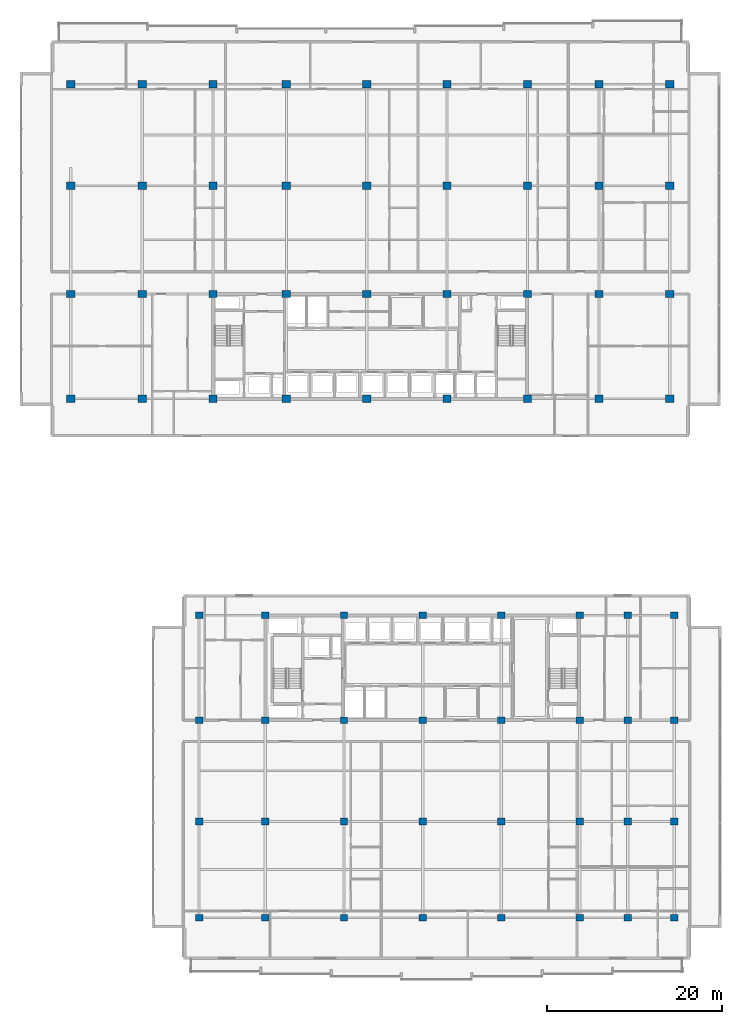
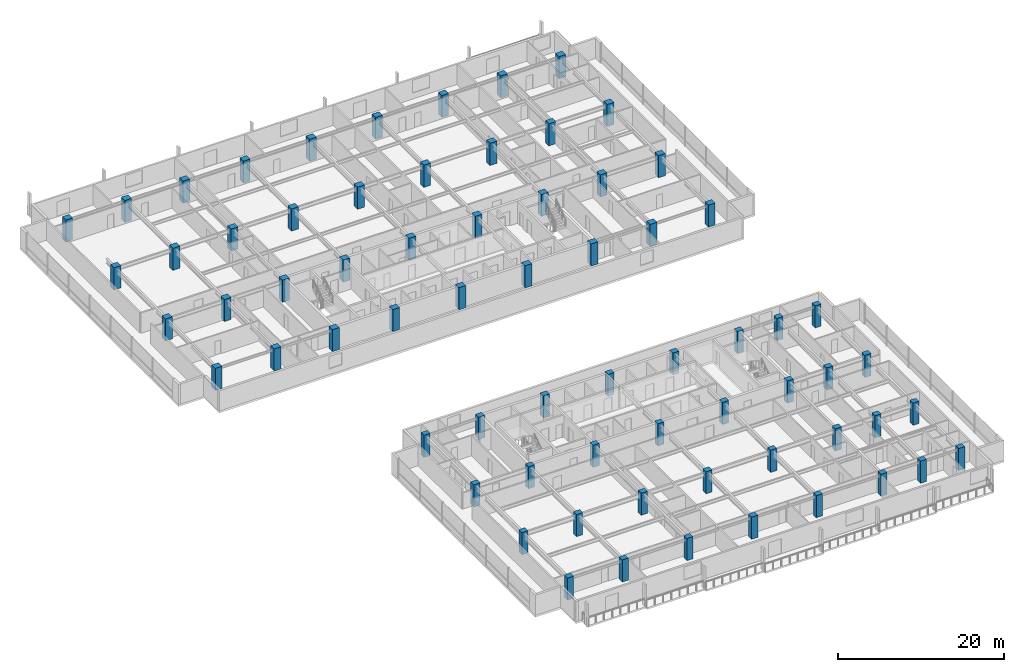
# One storey, part 1 of 38: 68 columns.
"""IFC4 building model written with IfcOpenShell, lengths in metres."""

import ifcopenshell
import ifcopenshell.guid

model = None  # the IFC model being written
_history = None  # IfcOwnerHistory: only IFC2X3 demands one
_inside = {}  # id of a spatial element -> (the spatial element, [elements in it])
_under = {}  # id of a project, library or spatial element -> (it, [spatial elements below it])
_declared = {}  # id of a project -> (the project, [libraries it declares])
_typed = {}  # id of a type object -> (the type object, [elements of that type])
_made_of = {}  # id of a material, layer set ... -> (it, [elements and type objects made of it])


def new_model(schema):
    """Start an empty IFC model of exactly this schema.

    Asked for "IFC4X3", IfcOpenShell would pick the latest addendum, in which some entities
    have other attributes; the version numbers below select the first issue.
    IFC2X3 requires an IfcOwnerHistory on every rooted entity: one is made here for all.
    """
    global model, _history
    if schema == "IFC4X3":
        model = ifcopenshell.file(schema_version=(4, 3, 0, 0))
    else:
        model = ifcopenshell.file(schema=schema)
    _inside.clear()
    _under.clear()
    _declared.clear()
    _typed.clear()
    _made_of.clear()
    _history = None
    if model.schema == "IFC2X3":
        org = make("IfcOrganization", Name="unknown")
        user = make(
            "IfcPersonAndOrganization",
            ThePerson=make("IfcPerson", FamilyName="unknown"),
            TheOrganization=org,
        )
        app = make(
            "IfcApplication",
            ApplicationDeveloper=org,
            Version="unknown",
            ApplicationFullName="unknown",
            ApplicationIdentifier="unknown",
        )
        _history = make(
            "IfcOwnerHistory",
            OwningUser=user,
            OwningApplication=app,
            ChangeAction="ADDED",
            CreationDate=0,
        )
    return model


def make(cls, **values):
    """One entity of the class cls with the attributes given. An attribute that is None is left unset."""
    return model.create_entity(
        cls, **{name: value for name, value in values.items() if value is not None}
    )


def rooted(cls, **values):
    """An entity with a GlobalId (a new one), such as an element, a storey or a relation."""
    return make(cls, GlobalId=ifcopenshell.guid.new(), OwnerHistory=_history, **values)


def si_unit(unit_type, name, prefix=None):
    """IfcSIUnit, for example si_unit("LENGTHUNIT", "METRE", prefix="MILLI")."""
    return make("IfcSIUnit", UnitType=unit_type, Prefix=prefix, Name=name)


def assignment(units):
    """IfcUnitAssignment: the units of a project."""
    return None if units is None else make("IfcUnitAssignment", Units=units)


def point(xyz):
    """IfcCartesianPoint."""
    return None if xyz is None else make("IfcCartesianPoint", Coordinates=xyz)


def direction(xyz):
    """IfcDirection."""
    return None if xyz is None else make("IfcDirection", DirectionRatios=xyz)


def frame(location, z_axis=None, x_axis=None):
    """IfcAxis2Placement3D, a coordinate frame: its origin and axes. An axis left out is left unset."""
    return make(
        "IfcAxis2Placement3D",
        Location=point(location),
        Axis=direction(z_axis),
        RefDirection=direction(x_axis),
    )


def frame_2d(location, x_axis=None):
    """IfcAxis2Placement2D, a coordinate frame in the plane: its origin and x axis."""
    return make(
        "IfcAxis2Placement2D", Location=point(location), RefDirection=direction(x_axis)
    )


def origin():
    """The frame at (0, 0, 0) with its axes left unset."""
    return frame((0.0, 0.0, 0.0))


def origin_2d():
    """The frame at (0, 0) in the plane with its x axis left unset."""
    return frame_2d((0.0, 0.0))


def place(relative_to, where):
    """IfcLocalPlacement: puts the frame where relative to a parent placement (None: the world)."""
    return make(
        "IfcLocalPlacement", PlacementRelTo=relative_to, RelativePlacement=where
    )


def context(
    kind, dimensions, precision=None, world=None, true_north=None, identifier=None
):
    """IfcGeometricRepresentationContext, for example the 3D "Model" context."""
    return make(
        "IfcGeometricRepresentationContext",
        ContextIdentifier=identifier,
        ContextType=kind,
        CoordinateSpaceDimension=dimensions,
        Precision=precision,
        WorldCoordinateSystem=world,
        TrueNorth=true_north,
    )


def subcontext(parent, identifier, kind, view, scale=None):
    """IfcGeometricRepresentationSubContext, for example "Body" below "Model"."""
    return make(
        "IfcGeometricRepresentationSubContext",
        ContextIdentifier=identifier,
        ContextType=kind,
        ParentContext=parent,
        TargetScale=scale,
        TargetView=view,
    )


def project(units=None, contexts=None):
    """IfcProject with its units and contexts."""
    return rooted(
        "IfcProject",
        Name="project",
        RepresentationContexts=contexts,
        UnitsInContext=assignment(units),
    )


def spatial(cls, under=None, at=None, **own):
    """A site, building, storey or space (cls), placed at a placement, below another one or the project."""
    s = rooted(cls, ObjectPlacement=at, **own)
    if under is not None:
        _under.setdefault(under.id(), (under, []))[1].append(s)
    return s


def profile(cls, at=None, kind="AREA", **sizes):
    """A parametric profile (cls). Its sizes go by their IFC names, for example OverallWidth=200.0."""
    return make(cls, ProfileType=kind, Position=at, **sizes)


def rectangle(**sizes):
    """IfcRectangleProfileDef."""
    return profile("IfcRectangleProfileDef", **sizes)


def extrude(swept, where, along, depth):
    """IfcExtrudedAreaSolid: the profile swept, set in the frame where, extruded along a direction by depth."""
    return make(
        "IfcExtrudedAreaSolid",
        SweptArea=swept,
        Position=where,
        ExtrudedDirection=direction(along),
        Depth=depth,
    )


def shape(context_of_items, identifier, shape_type, items):
    """IfcShapeRepresentation: the items that make up one representation, for example the "Body"."""
    return make(
        "IfcShapeRepresentation",
        ContextOfItems=context_of_items,
        RepresentationIdentifier=identifier,
        RepresentationType=shape_type,
        Items=items,
    )


def material(Name=None, Category=None):
    """IfcMaterial."""
    return make("IfcMaterial", Name=Name, Category=Category)


def material_profile(
    of_material, cross_section, Name=None, Category=None, Priority=None
):
    """IfcMaterialProfile: a cross section and its material."""
    return make(
        "IfcMaterialProfile",
        Name=Name,
        Material=of_material,
        Profile=cross_section,
        Priority=Priority,
        Category=Category,
    )


def profile_set(profiles, Name=None, composite=None):
    """IfcMaterialProfileSet."""
    return make(
        "IfcMaterialProfileSet",
        Name=Name,
        MaterialProfiles=profiles,
        CompositeProfile=composite,
    )


def made_of(thing, what):
    """Note that an element or type object is made of a material, layer set ...; save() writes the relation."""
    if what is not None:
        _made_of.setdefault(what.id(), (what, []))[1].append(thing)
    return thing


def type_object(cls, material=None, **own):
    """A type object (cls), such as IfcWallType, which elements share."""
    return made_of(rooted(cls, **own), material)


def element(
    cls,
    number,
    at=None,
    inside=None,
    cuts=None,
    type_object=None,
    material=None,
    context=None,
    identifier="Body",
    shape_type=None,
    held_by="IfcProductDefinitionShape",
    body=None,
    shapes=None,
    **own,
):
    """One element of the class cls, such as IfcWall. Its Tag is "e" and its number.

    at: its placement. inside: the storey or other place that contains it. cuts: it is an
    opening in that element (IfcRelVoidsElement). A single representation is given by context,
    identifier, shape_type and body (its items); several are given by shapes. held_by: the class
    of the entity that holds the representations. save() writes the other relations.
    """
    e = rooted(cls, Tag="e%d" % number, ObjectPlacement=at, **own)
    if body is not None:
        shapes = [shape(context, identifier, shape_type, body)]
    if shapes is not None:
        e.Representation = make(held_by, Representations=shapes)
    if inside is not None:
        _inside.setdefault(inside.id(), (inside, []))[1].append(e)
    if cuts is not None:
        rooted(
            "IfcRelVoidsElement", RelatingBuildingElement=cuts, RelatedOpeningElement=e
        )
    if type_object is not None:
        _typed.setdefault(type_object.id(), (type_object, []))[1].append(e)
    return made_of(e, material)


def aggregate(whole, parts):
    """IfcRelAggregates: a whole, such as a stair, and the parts it consists of."""
    return rooted("IfcRelAggregates", RelatingObject=whole, RelatedObjects=parts)


def save(model, path):
    """Write the relations noted so far, then the file.

    IfcRelAggregates (storeys below a building ...), IfcRelContainedInSpatialStructure (elements
    in a storey), IfcRelDefinesByType, IfcRelAssociatesMaterial and IfcRelDeclares: one each for
    every whole, place, type object, material and project.
    """
    for whole, parts in _under.values():
        aggregate(whole, parts)
    for where, things in _inside.values():
        rooted(
            "IfcRelContainedInSpatialStructure",
            RelatedElements=things,
            RelatingStructure=where,
        )
    for kind, things in _typed.values():
        rooted("IfcRelDefinesByType", RelatedObjects=things, RelatingType=kind)
    for what, things in _made_of.values():
        rooted("IfcRelAssociatesMaterial", RelatedObjects=things, RelatingMaterial=what)
    for by, libraries in _declared.values():
        rooted("IfcRelDeclares", RelatingContext=by, RelatedDefinitions=libraries)
    model.write(path)


model = new_model("IFC4")

# Units and contexts
model_context = context("Model", 3, precision=1e-05, world=origin(), true_north=direction((0.0, 1.0)))
body_context = subcontext(model_context, "Body", "Model", "MODEL_VIEW")
ifc_project = project(units=[si_unit("LENGTHUNIT", "METRE"), si_unit("AREAUNIT", "SQUARE_METRE"), si_unit("VOLUMEUNIT", "CUBIC_METRE"), si_unit("PLANEANGLEUNIT", "RADIAN"), si_unit("MASSUNIT", "GRAM", prefix="KILO")], contexts=[model_context])

# Site, building, storey
site_placement = place(None, origin())
site = spatial("IfcSite", under=ifc_project, at=site_placement, CompositionType="ELEMENT")
building_placement = place(site_placement, origin())
building = spatial("IfcBuilding", under=site, at=building_placement, Name="Korimba Cascade Residences", CompositionType="ELEMENT")
storey_placement = place(building_placement, frame((0.0, 0.0, 93.800048828125)))
storey = spatial("IfcBuildingStorey", under=building, at=storey_placement, Name="L26", CompositionType="ELEMENT", Elevation=93.800048828125)

# Columns
ifc_material = material(Name="Concrete C65/80", Category="concrete")
ifc_material_profile_1 = material_profile(ifc_material, rectangle(XDim=0.85009765625, YDim=0.75, at=origin_2d()), Name="Concrete C65/80")
ifc_profile_set_1 = profile_set([ifc_material_profile_1], Name="Concrete C65/80")
column_type_1 = type_object("IfcColumnType", Name="COL-RC-850", PredefinedType="COLUMN", material=ifc_profile_set_1)
for number, where, z_axis, x_axis, name in (
    (1, (74.5, -4.199951171875, 0.0), (0.0, 0.0, 1.0), (1.0, 0.0, 0.0), "L26 Tower 2 Column 1.1"),
    (2, (74.5, 6.800048828125, 0.0), (0.0, 0.0, 1.0), (1.0, 0.0, 0.0), "L26 Tower 2 Column 1.2"),
    (3, (74.5, 18.39990234375, 0.0), (0.0, 0.0, 1.0), (1.0, 0.0, 0.0), "L26 Tower 2 Column 1.3"),
    (4, (74.5, 30.39990234375, 0.0), (0.0, 0.0, 1.0), (1.0, 0.0, 0.0), "L26 Tower 2 Column 1.4"),
    (5, (82.10009765625, -4.199951171875, 0.0), (0.0, 0.0, 1.0), (1.0, 0.0, 0.0), "L26 Tower 2 Column 2.1"),
    (6, (82.10009765625, 6.800048828125, 0.0), (0.0, 0.0, 1.0), (1.0, 0.0, 0.0), "L26 Tower 2 Column 2.2"),
    (7, (82.10009765625, 18.39990234375, 0.0), (0.0, 0.0, 1.0), (1.0, 0.0, 0.0), "L26 Tower 2 Column 2.3"),
    (8, (82.10009765625, 30.39990234375, 0.0), (0.0, 0.0, 1.0), (1.0, 0.0, 0.0), "L26 Tower 2 Column 2.4"),
    (9, (91.10009765625, -4.199951171875, 0.0), (0.0, 0.0, 1.0), (1.0, 0.0, 0.0), "L26 Tower 2 Column 3.1"),
    (10, (91.10009765625, 6.800048828125, 0.0), (0.0, 0.0, 1.0), (1.0, 0.0, 0.0), "L26 Tower 2 Column 3.2"),
    (11, (91.10009765625, 18.39990234375, 0.0), (0.0, 0.0, 1.0), (1.0, 0.0, 0.0), "L26 Tower 2 Column 3.3"),
    (12, (91.10009765625, 30.39990234375, 0.0), (0.0, 0.0, 1.0), (1.0, 0.0, 0.0), "L26 Tower 2 Column 3.4"),
    (13, (100.10009765625, -4.199951171875, 0.0), (0.0, 0.0, 1.0), (1.0, 0.0, 0.0), "L26 Tower 2 Column 4.1"),
    (14, (100.10009765625, 6.800048828125, 0.0), (0.0, 0.0, 1.0), (1.0, 0.0, 0.0), "L26 Tower 2 Column 4.2"),
    (15, (100.10009765625, 18.39990234375, 0.0), (0.0, 0.0, 1.0), (1.0, 0.0, 0.0), "L26 Tower 2 Column 4.3"),
    (16, (100.10009765625, 30.39990234375, 0.0), (0.0, 0.0, 1.0), (1.0, 0.0, 0.0), "L26 Tower 2 Column 4.4"),
    (17, (109.10009765625, -4.199951171875, 0.0), (0.0, 0.0, 1.0), (1.0, 0.0, 0.0), "L26 Tower 2 Column 5.1"),
    (18, (109.10009765625, 6.800048828125, 0.0), (0.0, 0.0, 1.0), (1.0, 0.0, 0.0), "L26 Tower 2 Column 5.2"),
    (19, (109.10009765625, 18.39990234375, 0.0), (0.0, 0.0, 1.0), (1.0, 0.0, 0.0), "L26 Tower 2 Column 5.3"),
    (20, (109.10009765625, 30.39990234375, 0.0), (0.0, 0.0, 1.0), (1.0, 0.0, 0.0), "L26 Tower 2 Column 5.4"),
    (21, (118.10009765625, -4.199951171875, 0.0), (0.0, 0.0, 1.0), (1.0, 0.0, 0.0), "L26 Tower 2 Column 6.1"),
    (22, (118.10009765625, 6.800048828125, 0.0), (0.0, 0.0, 1.0), (1.0, 0.0, 0.0), "L26 Tower 2 Column 6.2"),
    (23, (118.10009765625, 18.39990234375, 0.0), (0.0, 0.0, 1.0), (1.0, 0.0, 0.0), "L26 Tower 2 Column 6.3"),
    (24, (118.10009765625, 30.39990234375, 0.0), (0.0, 0.0, 1.0), (1.0, 0.0, 0.0), "L26 Tower 2 Column 6.4"),
    (25, (123.60009765625, -4.199951171875, 0.0), (0.0, 0.0, 1.0), (1.0, 0.0, 0.0), "L26 Tower 2 Column 7.1"),
    (26, (123.60009765625, 6.800048828125, 0.0), (0.0, 0.0, 1.0), (1.0, 0.0, 0.0), "L26 Tower 2 Column 7.2"),
    (27, (123.60009765625, 18.39990234375, 0.0), (0.0, 0.0, 1.0), (1.0, 0.0, 0.0), "L26 Tower 2 Column 7.3"),
    (28, (123.60009765625, 30.39990234375, 0.0), (0.0, 0.0, 1.0), (1.0, 0.0, 0.0), "L26 Tower 2 Column 7.4"),
    (29, (128.89990234375, -4.199951171875, 0.0), (0.0, 0.0, 1.0), (1.0, 0.0, 0.0), "L26 Tower 2 Column 8.1"),
    (30, (128.89990234375, 6.800048828125, 0.0), (0.0, 0.0, 1.0), (1.0, 0.0, 0.0), "L26 Tower 2 Column 8.2"),
    (31, (128.89990234375, 18.39990234375, 0.0), (0.0, 0.0, 1.0), (1.0, 0.0, 0.0), "L26 Tower 2 Column 8.3"),
    (32, (128.89990234375, 30.39990234375, 0.0), (0.0, 0.0, 1.0), (1.0, 0.0, 0.0), "L26 Tower 2 Column 8.4"),
):
    element("IfcColumn", number, at=place(storey_placement, frame(where, z_axis=z_axis, x_axis=x_axis)), inside=storey, type_object=column_type_1, Name=name, PredefinedType="COLUMN", context=body_context, shape_type="SweptSolid", body=[
        extrude(rectangle(XDim=0.85009765625, YDim=0.75, at=origin_2d()), origin(), (0.0, 0.0, 1.0), 3.25),
    ])
ifc_material_profile_2 = material_profile(ifc_material, rectangle(XDim=0.949951171875, YDim=0.85009765625, at=origin_2d()), Name="Concrete C65/80")
ifc_profile_set_2 = profile_set([ifc_material_profile_2], Name="Concrete C65/80")
column_type_2 = type_object("IfcColumnType", Name="COL-RC-950", PredefinedType="COLUMN", material=ifc_profile_set_2)
for number, where, z_axis, x_axis, name in (
    (33, (59.800048828125, 55.199951171875, 0.0), (0.0, 0.0, 1.0), (1.0, 0.0, 0.0), "L26 Tower 1 Column 1.1"),
    (34, (59.800048828125, 67.199951171875, 0.0), (0.0, 0.0, 1.0), (1.0, 0.0, 0.0), "L26 Tower 1 Column 1.2"),
    (35, (59.800048828125, 79.60009765625, 0.0), (0.0, 0.0, 1.0), (1.0, 0.0, 0.0), "L26 Tower 1 Column 1.3"),
    (36, (59.800048828125, 91.199951171875, 0.0), (0.0, 0.0, 1.0), (1.0, 0.0, 0.0), "L26 Tower 1 Column 1.4"),
    (37, (68.0, 55.199951171875, 0.0), (0.0, 0.0, 1.0), (1.0, 0.0, 0.0), "L26 Tower 1 Column 2.1"),
    (38, (68.0, 67.199951171875, 0.0), (0.0, 0.0, 1.0), (1.0, 0.0, 0.0), "L26 Tower 1 Column 2.2"),
    (39, (68.0, 79.60009765625, 0.0), (0.0, 0.0, 1.0), (1.0, 0.0, 0.0), "L26 Tower 1 Column 2.3"),
    (40, (68.0, 91.199951171875, 0.0), (0.0, 0.0, 1.0), (1.0, 0.0, 0.0), "L26 Tower 1 Column 2.4"),
    (41, (76.10009765625, 55.199951171875, 0.0), (0.0, 0.0, 1.0), (1.0, 0.0, 0.0), "L26 Tower 1 Column 3.1"),
    (42, (76.10009765625, 67.199951171875, 0.0), (0.0, 0.0, 1.0), (1.0, 0.0, 0.0), "L26 Tower 1 Column 3.2"),
    (43, (76.10009765625, 79.60009765625, 0.0), (0.0, 0.0, 1.0), (1.0, 0.0, 0.0), "L26 Tower 1 Column 3.3"),
    (44, (76.10009765625, 91.199951171875, 0.0), (0.0, 0.0, 1.0), (1.0, 0.0, 0.0), "L26 Tower 1 Column 3.4"),
    (45, (84.5, 55.199951171875, 0.0), (0.0, 0.0, 1.0), (1.0, 0.0, 0.0), "L26 Tower 1 Column 4.1"),
    (46, (84.5, 67.199951171875, 0.0), (0.0, 0.0, 1.0), (1.0, 0.0, 0.0), "L26 Tower 1 Column 4.2"),
    (47, (84.5, 79.60009765625, 0.0), (0.0, 0.0, 1.0), (1.0, 0.0, 0.0), "L26 Tower 1 Column 4.3"),
    (48, (84.5, 91.199951171875, 0.0), (0.0, 0.0, 1.0), (1.0, 0.0, 0.0), "L26 Tower 1 Column 4.4"),
    (49, (93.699951171875, 55.199951171875, 0.0), (0.0, 0.0, 1.0), (1.0, 0.0, 0.0), "L26 Tower 1 Column 5.1"),
    (50, (93.699951171875, 67.199951171875, 0.0), (0.0, 0.0, 1.0), (1.0, 0.0, 0.0), "L26 Tower 1 Column 5.2"),
    (51, (93.699951171875, 79.60009765625, 0.0), (0.0, 0.0, 1.0), (1.0, 0.0, 0.0), "L26 Tower 1 Column 5.3"),
    (52, (93.699951171875, 91.199951171875, 0.0), (0.0, 0.0, 1.0), (1.0, 0.0, 0.0), "L26 Tower 1 Column 5.4"),
    (53, (102.89990234375, 55.199951171875, 0.0), (0.0, 0.0, 1.0), (1.0, 0.0, 0.0), "L26 Tower 1 Column 6.1"),
    (54, (102.89990234375, 67.199951171875, 0.0), (0.0, 0.0, 1.0), (1.0, 0.0, 0.0), "L26 Tower 1 Column 6.2"),
    (55, (102.89990234375, 79.60009765625, 0.0), (0.0, 0.0, 1.0), (1.0, 0.0, 0.0), "L26 Tower 1 Column 6.3"),
    (56, (102.89990234375, 91.199951171875, 0.0), (0.0, 0.0, 1.0), (1.0, 0.0, 0.0), "L26 Tower 1 Column 6.4"),
    (57, (112.10009765625, 55.199951171875, 0.0), (0.0, 0.0, 1.0), (1.0, 0.0, 0.0), "L26 Tower 1 Column 7.1"),
    (58, (112.10009765625, 67.199951171875, 0.0), (0.0, 0.0, 1.0), (1.0, 0.0, 0.0), "L26 Tower 1 Column 7.2"),
    (59, (112.10009765625, 79.60009765625, 0.0), (0.0, 0.0, 1.0), (1.0, 0.0, 0.0), "L26 Tower 1 Column 7.3"),
    (60, (112.10009765625, 91.199951171875, 0.0), (0.0, 0.0, 1.0), (1.0, 0.0, 0.0), "L26 Tower 1 Column 7.4"),
    (61, (120.300048828125, 55.199951171875, 0.0), (0.0, 0.0, 1.0), (1.0, 0.0, 0.0), "L26 Tower 1 Column 8.1"),
    (62, (120.300048828125, 67.199951171875, 0.0), (0.0, 0.0, 1.0), (1.0, 0.0, 0.0), "L26 Tower 1 Column 8.2"),
    (63, (120.300048828125, 79.60009765625, 0.0), (0.0, 0.0, 1.0), (1.0, 0.0, 0.0), "L26 Tower 1 Column 8.3"),
    (64, (120.300048828125, 91.199951171875, 0.0), (0.0, 0.0, 1.0), (1.0, 0.0, 0.0), "L26 Tower 1 Column 8.4"),
    (65, (128.39990234375, 55.199951171875, 0.0), (0.0, 0.0, 1.0), (1.0, 0.0, 0.0), "L26 Tower 1 Column 9.1"),
    (66, (128.39990234375, 67.199951171875, 0.0), (0.0, 0.0, 1.0), (1.0, 0.0, 0.0), "L26 Tower 1 Column 9.2"),
    (67, (128.39990234375, 79.60009765625, 0.0), (0.0, 0.0, 1.0), (1.0, 0.0, 0.0), "L26 Tower 1 Column 9.3"),
    (68, (128.39990234375, 91.199951171875, 0.0), (0.0, 0.0, 1.0), (1.0, 0.0, 0.0), "L26 Tower 1 Column 9.4"),
):
    element("IfcColumn", number, at=place(storey_placement, frame(where, z_axis=z_axis, x_axis=x_axis)), inside=storey, type_object=column_type_2, Name=name, PredefinedType="COLUMN", context=body_context, shape_type="SweptSolid", body=[
        extrude(rectangle(XDim=0.949951171875, YDim=0.85009765625, at=origin_2d()), origin(), (0.0, 0.0, 1.0), 3.25),
    ])

save(model, "model.ifc")
